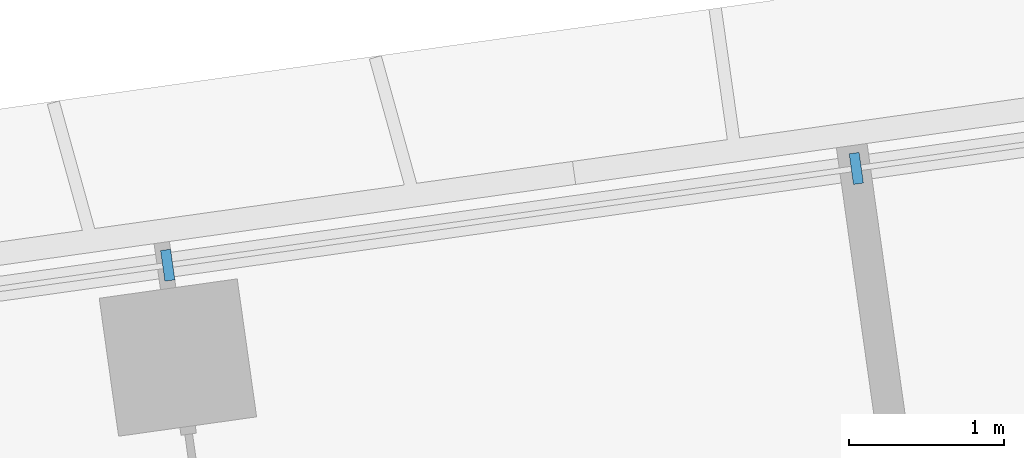
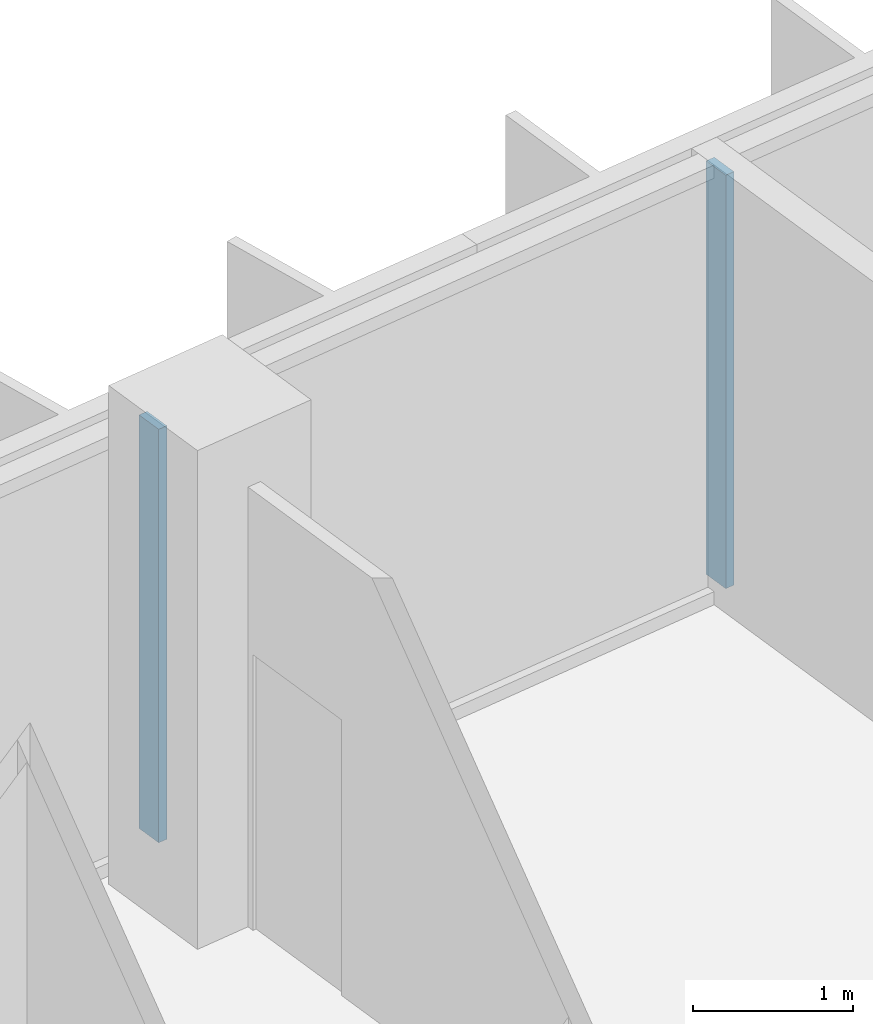
# One storey, part 8 of 26: 2 members, 1 element without a shape of its own.
"""IFC4 building model written with IfcOpenShell, lengths in metres."""

from ifc_helpers import new_model, si_unit, direction, frame, origin, origin_2d, place, context, subcontext, project, spatial, rectangle, extrude, material, material_profile, profile_set, type_object, element, aggregate, save


model = new_model("IFC4")

# Units and contexts
model_context = context("Model", 3, precision=1e-05, world=origin(), true_north=direction((0.0, 1.0)))
body_context = subcontext(model_context, "Body", "Model", "MODEL_VIEW")
ifc_project = project(units=[si_unit("LENGTHUNIT", "METRE"), si_unit("AREAUNIT", "SQUARE_METRE"), si_unit("VOLUMEUNIT", "CUBIC_METRE"), si_unit("PLANEANGLEUNIT", "RADIAN"), si_unit("MASSUNIT", "GRAM", prefix="KILO")], contexts=[model_context])

# Site, building, storey
site_placement = place(None, origin())
site = spatial("IfcSite", under=ifc_project, at=site_placement, CompositionType="ELEMENT")
building_placement = place(site_placement, origin())
building = spatial("IfcBuilding", under=site, at=building_placement, Name="Mirante Cascada Hotel Towers", CompositionType="ELEMENT")
storey_placement = place(building_placement, frame((0.0, 0.0, 140.5)))
storey = spatial("IfcBuildingStorey", under=building, at=storey_placement, Name="L32", CompositionType="ELEMENT", Elevation=140.5)

# Curtain wall, members
ifc_material_1 = material(Name="Aluminium mullion and transom frame with clear laminated glass", Category="aluminium")
curtain_wall_type = type_object("IfcCurtainWallType", Name="Ribbon curtain wall ECW1", PredefinedType="NOTDEFINED", material=ifc_material_1)
curtain_wall_placement = place(storey_placement, origin())
curtain_wall = element("IfcCurtainWall", 1, at=curtain_wall_placement, inside=storey, type_object=curtain_wall_type, Name="Front ribbon wall T2 L32", PredefinedType="NOTDEFINED")
ifc_material_2 = material(Name="Anodised aluminium extrusion", Category="aluminium")
ifc_material_profile = material_profile(ifc_material_2, rectangle(XDim=0.2, YDim=0.065, at=origin_2d()), Name="ECW1 MULLION 65x200")
ifc_profile_set = profile_set([ifc_material_profile], Name="Anodised aluminium extrusion")
member_type = type_object("IfcMemberType", Name="ECW1 mullion 65x200", PredefinedType="MULLION", material=ifc_profile_set)
member_1_placement = place(storey_placement, frame((58.5788, 21.0517, 0.1), z_axis=(0.0, 0.0, 1.0), x_axis=(0.1391731, -0.9902681, 0.0)))
member_1 = element("IfcMember", 2, at=member_1_placement, type_object=member_type, Name="ECW1 mullion 9", PredefinedType="MULLION", context=body_context, shape_type="SweptSolid", body=[
    extrude(rectangle(XDim=0.2, YDim=0.065, at=origin_2d()), origin(), (0.0, 0.0, 1.0), 3.15),
])
member_2_placement = place(storey_placement, frame((54.1314, 20.4267, 0.1), z_axis=(0.0, 0.0, 1.0), x_axis=(0.1391731, -0.9902681, 0.0)))
member_2 = element("IfcMember", 3, at=member_2_placement, type_object=member_type, Name="ECW1 mullion 10", PredefinedType="MULLION", context=body_context, shape_type="SweptSolid", body=[
    extrude(rectangle(XDim=0.2, YDim=0.065, at=origin_2d()), origin(), (0.0, 0.0, 1.0), 3.15),
])
aggregate(curtain_wall, [member_1, member_2])

save(model, "model.ifc")
